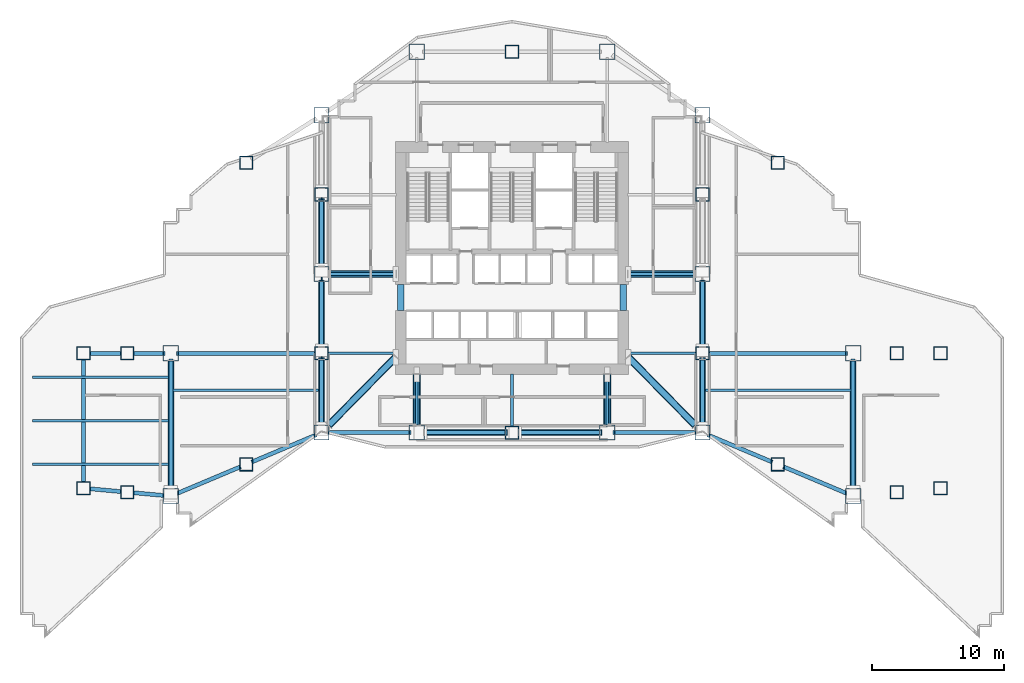
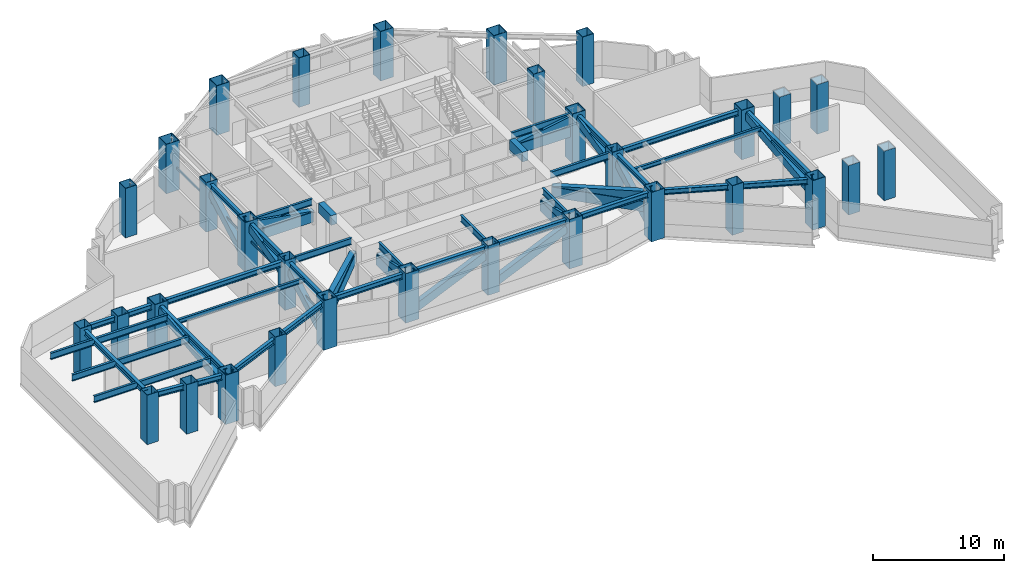
# One storey, part 1 of 23: 42 beams, 32 columns, 16 members.
"""IFC4 building model written with IfcOpenShell, lengths in metres."""

from ifc_helpers import new_model, si_unit, direction, frame, origin, origin_2d, place, context, subcontext, project, spatial, rectangle, hollow_rectangle, i_section, extrude, material, material_profile, profile_set, type_object, element, save


model = new_model("IFC4")

# Units and contexts
model_context = context("Model", 3, precision=1e-05, world=origin(), true_north=direction((0.0, 1.0)))
body_context = subcontext(model_context, "Body", "Model", "MODEL_VIEW")
ifc_project = project(units=[si_unit("LENGTHUNIT", "METRE"), si_unit("AREAUNIT", "SQUARE_METRE"), si_unit("VOLUMEUNIT", "CUBIC_METRE"), si_unit("PLANEANGLEUNIT", "RADIAN"), si_unit("MASSUNIT", "GRAM", prefix="KILO")], contexts=[model_context])

# Site, building, storey
site_placement = place(None, origin())
site = spatial("IfcSite", under=ifc_project, at=site_placement, CompositionType="ELEMENT")
building_placement = place(site_placement, origin())
building = spatial("IfcBuilding", under=site, at=building_placement, Name="Haolan Belvedere Tower", CompositionType="ELEMENT")
storey_placement = place(building_placement, frame((0.0, 0.0, 89.39990234375)))
storey = spatial("IfcBuildingStorey", under=building, at=storey_placement, Name="L22", CompositionType="ELEMENT", Elevation=89.39990234375)

# Columns
ifc_material_1 = material(Name="Steel Q420GJC", Category="steel")
ifc_material_profile_1 = material_profile(ifc_material_1, hollow_rectangle(XDim=1.0, YDim=1.0, WallThickness=0.0380859375, at=origin_2d()), Name="Steel Q420GJC")
ifc_profile_set_1 = profile_set([ifc_material_profile_1], Name="Steel Q420GJC")
column_type_1 = type_object("IfcColumnType", Name="COL-BOX1000x1000x38", PredefinedType="COLUMN", material=ifc_profile_set_1)
for number, where, z_axis, x_axis, name in (
    (1, (6.0, 17.39990234375, 0.0), (0.0, 0.0, 1.0), (1.0, 0.0, 0.0), "L22 column MC-T1-SW (BOX1000x1000x38)"),
    (2, (6.0, 27.60009765625, 0.0), (0.0, 0.0, 1.0), (1.0, 0.0, 0.0), "L22 column MC-T1-NW (BOX1000x1000x38)"),
    (3, (70.800048828125, 17.39990234375, 0.0), (0.0, 0.0, 1.0), (1.0, 0.0, 0.0), "L22 column MC-T5-SE (BOX1000x1000x38)"),
    (4, (70.800048828125, 27.60009765625, 0.0), (0.0, 0.0, 1.0), (1.0, 0.0, 0.0), "L22 column MC-T5-NE (BOX1000x1000x38)"),
    (5, (24.0, 27.60009765625, 0.0), (0.0, 0.0, 1.0), (1.0, 0.0, 0.0), "L22 column TC-T3-W1 (BOX1000x1000x38)"),
    (6, (24.0, 39.60009765625, 0.0), (0.0, 0.0, 1.0), (1.0, 0.0, 0.0), "L22 column TC-T3-W2 (BOX1000x1000x38)"),
    (7, (52.800048828125, 27.60009765625, 0.0), (0.0, 0.0, 1.0), (1.0, 0.0, 0.0), "L22 column TC-T3-E1 (BOX1000x1000x38)"),
    (8, (52.800048828125, 39.60009765625, 0.0), (0.0, 0.0, 1.0), (1.0, 0.0, 0.0), "L22 column TC-T3-E2 (BOX1000x1000x38)"),
    (9, (38.39990234375, 21.60009765625, 0.0), (0.0, 0.0, 1.0), (1.0, 0.0, 0.0), "L22 column TC-T3-SM (BOX1000x1000x38)"),
    (10, (38.39990234375, 50.39990234375, 0.0), (0.0, 0.0, 1.0), (1.0, 0.0, 0.0), "L22 column TC-T3-NM (BOX1000x1000x38)"),
    (11, (18.300048828125, 19.199951171875, 0.0), (0.0, 0.0, 1.0), (1.0, 0.0, 0.0), "L22 column TC-T2-S1 (BOX1000x1000x38)"),
    (12, (18.300048828125, 42.0, 0.0), (0.0, 0.0, 1.0), (1.0, 0.0, 0.0), "L22 column TC-T2-N1 (BOX1000x1000x38)"),
    (13, (58.5, 19.199951171875, 0.0), (0.0, 0.0, 1.0), (1.0, 0.0, 0.0), "L22 column TC-T4-S1 (BOX1000x1000x38)"),
    (14, (58.5, 42.0, 0.0), (0.0, 0.0, 1.0), (1.0, 0.0, 0.0), "L22 column TC-T4-N1 (BOX1000x1000x38)"),
    (15, (9.300048828125, 17.10009765625, 0.0), (0.0, 0.0, 1.0), (1.0, 0.0, 0.0), "L22 column TC-T1-M1 (BOX1000x1000x38)"),
    (16, (9.300048828125, 27.60009765625, 0.0), (0.0, 0.0, 1.0), (1.0, 0.0, 0.0), "L22 column TC-T1-M2 (BOX1000x1000x38)"),
    (17, (67.5, 17.10009765625, 0.0), (0.0, 0.0, 1.0), (1.0, 0.0, 0.0), "L22 column TC-T5-M1 (BOX1000x1000x38)"),
    (18, (67.5, 27.60009765625, 0.0), (0.0, 0.0, 1.0), (1.0, 0.0, 0.0), "L22 column TC-T5-M2 (BOX1000x1000x38)"),
):
    element("IfcColumn", number, at=place(storey_placement, frame(where, z_axis=z_axis, x_axis=x_axis)), inside=storey, type_object=column_type_1, Name=name, PredefinedType="COLUMN", context=body_context, shape_type="SweptSolid", body=[
        extrude(hollow_rectangle(XDim=1.0, YDim=1.0, WallThickness=0.0380859375, at=origin_2d()), origin(), (0.0, 0.0, 1.0), 4.60009765625),
    ])
ifc_material_2 = material(Name="Steel Q355B", Category="steel")
ifc_material_profile_2 = material_profile(ifc_material_2, hollow_rectangle(XDim=1.14990234375, YDim=1.14990234375, WallThickness=0.0419921875, at=origin_2d()), Name="Steel Q355B")
ifc_profile_set_2 = profile_set([ifc_material_profile_2], Name="Steel Q355B")
column_type_2 = type_object("IfcColumnType", Name="COL-BOX1150x1150x42", PredefinedType="COLUMN", material=ifc_profile_set_2)
for number, where, z_axis, x_axis, name in (
    (19, (24.0, 21.60009765625, 0.0), (0.0, 0.0, 1.0), (1.0, 0.0, 0.0), "L22 column MC-T3-SW (BOX1150x1150x42)"),
    (20, (24.0, 33.60009765625, 0.0), (0.0, 0.0, 1.0), (1.0, 0.0, 0.0), "L22 column MC-T3-MW (BOX1150x1150x42)"),
    (21, (24.0, 45.60009765625, 0.0), (0.0, 0.0, 1.0), (1.0, 0.0, 0.0), "L22 column MC-T3-NW (BOX1150x1150x42)"),
    (22, (52.800048828125, 21.60009765625, 0.0), (0.0, 0.0, 1.0), (1.0, 0.0, 0.0), "L22 column MC-T3-SE (BOX1150x1150x42)"),
    (23, (52.800048828125, 33.60009765625, 0.0), (0.0, 0.0, 1.0), (1.0, 0.0, 0.0), "L22 column MC-T3-ME (BOX1150x1150x42)"),
    (24, (52.800048828125, 45.60009765625, 0.0), (0.0, 0.0, 1.0), (1.0, 0.0, 0.0), "L22 column MC-T3-NE (BOX1150x1150x42)"),
    (25, (31.199951171875, 21.60009765625, 0.0), (0.0, 0.0, 1.0), (1.0, 0.0, 0.0), "L22 column MC-T3-S1 (BOX1150x1150x42)"),
    (26, (45.60009765625, 21.60009765625, 0.0), (0.0, 0.0, 1.0), (1.0, 0.0, 0.0), "L22 column MC-T3-S2 (BOX1150x1150x42)"),
    (27, (31.199951171875, 50.39990234375, 0.0), (0.0, 0.0, 1.0), (1.0, 0.0, 0.0), "L22 column MC-T3-N1 (BOX1150x1150x42)"),
    (28, (45.60009765625, 50.39990234375, 0.0), (0.0, 0.0, 1.0), (1.0, 0.0, 0.0), "L22 column MC-T3-N2 (BOX1150x1150x42)"),
    (29, (12.60009765625, 16.800048828125, 0.0), (0.0, 0.0, 1.0), (1.0, 0.0, 0.0), "L22 column MC-T2-SW (BOX1150x1150x42)"),
    (30, (12.60009765625, 27.60009765625, 0.0), (0.0, 0.0, 1.0), (1.0, 0.0, 0.0), "L22 column MC-T2-MW (BOX1150x1150x42)"),
    (31, (64.199951171875, 16.800048828125, 0.0), (0.0, 0.0, 1.0), (1.0, 0.0, 0.0), "L22 column MC-T4-SE (BOX1150x1150x42)"),
    (32, (64.199951171875, 27.60009765625, 0.0), (0.0, 0.0, 1.0), (1.0, 0.0, 0.0), "L22 column MC-T4-ME (BOX1150x1150x42)"),
):
    element("IfcColumn", number, at=place(storey_placement, frame(where, z_axis=z_axis, x_axis=x_axis)), inside=storey, type_object=column_type_2, Name=name, PredefinedType="COLUMN", context=body_context, shape_type="SweptSolid", body=[
        extrude(hollow_rectangle(XDim=1.14990234375, YDim=1.14990234375, WallThickness=0.0419921875, at=origin_2d()), origin(), (0.0, 0.0, 1.0), 4.60009765625),
    ])

# Beams
ifc_material_profile_3 = material_profile(ifc_material_1, hollow_rectangle(XDim=0.550048828125, YDim=0.949951171875, WallThickness=0.033935546875, at=origin_2d()), Name="Steel Q420GJC")
ifc_profile_set_3 = profile_set([ifc_material_profile_3], Name="Steel Q420GJC")
beam_type_1 = type_object("IfcBeamType", Name="BM-BOX950x550x34", PredefinedType="BEAM", material=ifc_profile_set_3)
beam_1_placement = place(storey_placement, frame((29.6298828125, 33.60009765625, 2.780029296875), z_axis=(-1.0, 0.0, 0.0), x_axis=(0.0, -1.0, 0.0)))
element("IfcBeam", 33, at=beam_1_placement, inside=storey, type_object=beam_type_1, Name="L22 core outrigger lower portal chord OR-W1", PredefinedType="BEAM", context=body_context, shape_type="SweptSolid", body=[
    extrude(hollow_rectangle(XDim=0.550048828125, YDim=0.949951171875, WallThickness=0.033935546875, at=origin_2d()), origin(), (0.0, 0.0, 1.0), 5.0849609375),
])
beam_2_placement = place(storey_placement, frame((29.62109375, 27.3212890625, 2.780029296875), z_axis=(-0.700827774189, -0.713330520113, 0.0), x_axis=(0.713330520113, -0.700827774189, 0.0)))
element("IfcBeam", 34, at=beam_2_placement, inside=storey, type_object=beam_type_1, Name="L22 core outrigger lower portal chord OR-W2", PredefinedType="BEAM", context=body_context, shape_type="SweptSolid", body=[
    extrude(hollow_rectangle(XDim=0.550048828125, YDim=0.949951171875, WallThickness=0.033935546875, at=origin_2d()), origin(), (0.0, 0.0, 1.0), 7.244384765625),
])
beam_3_placement = place(storey_placement, frame((47.169921875, 33.60009765625, 2.780029296875), z_axis=(1.0, 0.0, 0.0), x_axis=(0.0, 1.0, 0.0)))
element("IfcBeam", 35, at=beam_3_placement, inside=storey, type_object=beam_type_1, Name="L22 core outrigger lower portal chord OR-E1", PredefinedType="BEAM", context=body_context, shape_type="SweptSolid", body=[
    extrude(hollow_rectangle(XDim=0.550048828125, YDim=0.949951171875, WallThickness=0.033935546875, at=origin_2d()), origin(), (0.0, 0.0, 1.0), 5.0849609375),
])
beam_4_placement = place(storey_placement, frame((47.178955078125, 27.3212890625, 2.780029296875), z_axis=(0.700827774189, -0.713330520113, 0.0), x_axis=(0.713330520113, 0.700827774189, 0.0)))
element("IfcBeam", 36, at=beam_4_placement, inside=storey, type_object=beam_type_1, Name="L22 core outrigger lower portal chord OR-E2", PredefinedType="BEAM", context=body_context, shape_type="SweptSolid", body=[
    extrude(hollow_rectangle(XDim=0.550048828125, YDim=0.949951171875, WallThickness=0.033935546875, at=origin_2d()), origin(), (0.0, 0.0, 1.0), 7.244384765625),
])
for number, where, z_axis, x_axis, name in (
    (37, (31.199951171875, 26.030029296875, 2.780029296875), (0.0, -1.0, 0.0), (1.0, 0.0, 0.0), "L22 core outrigger lower portal chord OR-S1"),
    (38, (45.60009765625, 26.030029296875, 2.780029296875), (0.0, -1.0, 0.0), (1.0, 0.0, 0.0), "L22 core outrigger lower portal chord OR-S2"),
):
    element("IfcBeam", number, at=place(storey_placement, frame(where, z_axis=z_axis, x_axis=x_axis)), inside=storey, type_object=beam_type_1, Name=name, PredefinedType="BEAM", context=body_context, shape_type="SweptSolid", body=[
        extrude(hollow_rectangle(XDim=0.550048828125, YDim=0.949951171875, WallThickness=0.033935546875, at=origin_2d()), origin(), (0.0, 0.0, 1.0), 3.885009765625),
    ])
ifc_material_profile_4 = material_profile(ifc_material_2, i_section(OverallWidth=0.300048828125, OverallDepth=0.488037109375, WebThickness=0.010986328125, FlangeThickness=0.01806640625, FilletRadius=0.02587890625, at=origin_2d()), Name="Steel Q355B")
ifc_profile_set_4 = profile_set([ifc_material_profile_4], Name="Steel Q355B")
beam_type_2 = type_object("IfcBeamType", Name="BM-HM488x300x11x18", PredefinedType="SPANDREL", material=ifc_profile_set_4)
for number, where, z_axis, x_axis, name in (
    (39, (24.0, 22.050048828125, 4.106201171875), (0.0, 1.0, 0.0), (-1.0, 0.0, 0.0), "L22 spandrel girder MC-T3-SW-TC-T3-W1"),
    (40, (24.0, 28.050048828125, 4.106201171875), (0.0, 1.0, 0.0), (-1.0, 0.0, 0.0), "L22 spandrel girder TC-T3-W1-MC-T3-MW"),
    (41, (24.0, 34.050048828125, 4.106201171875), (0.0, 1.0, 0.0), (-1.0, 0.0, 0.0), "L22 spandrel girder MC-T3-MW-TC-T3-W2"),
    (42, (52.800048828125, 22.050048828125, 4.106201171875), (0.0, 1.0, 0.0), (-1.0, 0.0, 0.0), "L22 spandrel girder MC-T3-SE-TC-T3-E1"),
    (43, (52.800048828125, 28.050048828125, 4.106201171875), (0.0, 1.0, 0.0), (-1.0, 0.0, 0.0), "L22 spandrel girder TC-T3-E1-MC-T3-ME"),
):
    element("IfcBeam", number, at=place(storey_placement, frame(where, z_axis=z_axis, x_axis=x_axis)), inside=storey, type_object=beam_type_2, Name=name, PredefinedType="SPANDREL", context=body_context, shape_type="SweptSolid", body=[
        extrude(i_section(OverallWidth=0.300048828125, OverallDepth=0.488037109375, WebThickness=0.010986328125, FlangeThickness=0.01806640625, FilletRadius=0.02587890625, at=origin_2d()), origin(), (0.0, 0.0, 1.0), 5.099853515625),
    ])
for number, where, z_axis, x_axis, name in (
    (44, (24.449951171875, 21.60009765625, 4.106201171875), (1.0, 0.0, 0.0), (0.0, 1.0, 0.0), "L22 spandrel girder MC-T3-SW-MC-T3-S1"),
    (45, (31.64990234375, 21.60009765625, 4.106201171875), (1.0, 0.0, 0.0), (0.0, 1.0, 0.0), "L22 spandrel girder MC-T3-S1-TC-T3-SM"),
):
    element("IfcBeam", number, at=place(storey_placement, frame(where, z_axis=z_axis, x_axis=x_axis)), inside=storey, type_object=beam_type_2, Name=name, PredefinedType="SPANDREL", context=body_context, shape_type="SweptSolid", body=[
        extrude(i_section(OverallWidth=0.300048828125, OverallDepth=0.488037109375, WebThickness=0.010986328125, FlangeThickness=0.01806640625, FilletRadius=0.02587890625, at=origin_2d()), origin(), (0.0, 0.0, 1.0), 6.300048828125),
    ])
beam_5_placement = place(storey_placement, frame((38.85009765625, 21.60009765625, 4.106201171875), z_axis=(1.0, 0.0, 0.0), x_axis=(0.0, 1.0, 0.0)))
element("IfcBeam", 46, at=beam_5_placement, inside=storey, type_object=beam_type_2, Name="L22 spandrel girder TC-T3-SM-MC-T3-S2", PredefinedType="SPANDREL", context=body_context, shape_type="SweptSolid", body=[
    extrude(i_section(OverallWidth=0.300048828125, OverallDepth=0.488037109375, WebThickness=0.010986328125, FlangeThickness=0.01806640625, FilletRadius=0.02587890625, at=origin_2d()), origin(), (0.0, 0.0, 1.0), 6.2998046875),
])
beam_6_placement = place(storey_placement, frame((46.050048828125, 21.60009765625, 4.106201171875), z_axis=(1.0, 0.0, 0.0), x_axis=(0.0, 1.0, 0.0)))
element("IfcBeam", 47, at=beam_6_placement, inside=storey, type_object=beam_type_2, Name="L22 spandrel girder MC-T3-S2-MC-T3-SE", PredefinedType="SPANDREL", context=body_context, shape_type="SweptSolid", body=[
    extrude(i_section(OverallWidth=0.300048828125, OverallDepth=0.488037109375, WebThickness=0.010986328125, FlangeThickness=0.01806640625, FilletRadius=0.02587890625, at=origin_2d()), origin(), (0.0, 0.0, 1.0), 6.300048828125),
])
beam_7_placement = place(storey_placement, frame((12.60009765625, 17.25, 4.106201171875), z_axis=(0.0, 1.0, 0.0), x_axis=(-1.0, 0.0, 0.0)))
element("IfcBeam", 48, at=beam_7_placement, inside=storey, type_object=beam_type_2, Name="L22 spandrel girder MC-T2-SW-MC-T2-MW", PredefinedType="SPANDREL", context=body_context, shape_type="SweptSolid", body=[
    extrude(i_section(OverallWidth=0.300048828125, OverallDepth=0.488037109375, WebThickness=0.010986328125, FlangeThickness=0.01806640625, FilletRadius=0.02587890625, at=origin_2d()), origin(), (0.0, 0.0, 1.0), 9.89990234375),
])
beam_8_placement = place(storey_placement, frame((13.0146484375, 16.974609375, 4.106201171875), z_axis=(0.921635375138, 0.388057000058, 0.0), x_axis=(-0.388057000058, 0.921635375138, 0.0)))
element("IfcBeam", 49, at=beam_8_placement, inside=storey, type_object=beam_type_2, Name="L22 spandrel girder MC-T2-SW-TC-T2-S1", PredefinedType="SPANDREL", context=body_context, shape_type="SweptSolid", body=[
    extrude(i_section(OverallWidth=0.300048828125, OverallDepth=0.488037109375, WebThickness=0.010986328125, FlangeThickness=0.01806640625, FilletRadius=0.02587890625, at=origin_2d()), origin(), (0.0, 0.0, 1.0), 5.28466796875),
])
beam_9_placement = place(storey_placement, frame((18.71484375, 19.37451171875, 4.106201171875), z_axis=(0.92162841793, 0.388073523014, 0.0), x_axis=(-0.388073523014, 0.92162841793, 0.0)))
element("IfcBeam", 50, at=beam_9_placement, inside=storey, type_object=beam_type_2, Name="L22 spandrel girder TC-T2-S1-MC-T3-SW", PredefinedType="SPANDREL", context=body_context, shape_type="SweptSolid", body=[
    extrude(i_section(OverallWidth=0.300048828125, OverallDepth=0.488037109375, WebThickness=0.010986328125, FlangeThickness=0.01806640625, FilletRadius=0.02587890625, at=origin_2d()), origin(), (0.0, 0.0, 1.0), 5.284423828125),
])
beam_10_placement = place(storey_placement, frame((13.050048828125, 27.60009765625, 4.106201171875), z_axis=(1.0, 0.0, 0.0), x_axis=(0.0, 1.0, 0.0)))
element("IfcBeam", 51, at=beam_10_placement, inside=storey, type_object=beam_type_2, Name="L22 spandrel girder MC-T2-MW-TC-T3-W1", PredefinedType="SPANDREL", context=body_context, shape_type="SweptSolid", body=[
    extrude(i_section(OverallWidth=0.300048828125, OverallDepth=0.488037109375, WebThickness=0.010986328125, FlangeThickness=0.01806640625, FilletRadius=0.02587890625, at=origin_2d()), origin(), (0.0, 0.0, 1.0), 10.5),
])
beam_11_placement = place(storey_placement, frame((64.199951171875, 17.25, 4.106201171875), z_axis=(0.0, 1.0, 0.0), x_axis=(-1.0, 0.0, 0.0)))
element("IfcBeam", 52, at=beam_11_placement, inside=storey, type_object=beam_type_2, Name="L22 spandrel girder MC-T4-SE-MC-T4-ME", PredefinedType="SPANDREL", context=body_context, shape_type="SweptSolid", body=[
    extrude(i_section(OverallWidth=0.300048828125, OverallDepth=0.488037109375, WebThickness=0.010986328125, FlangeThickness=0.01806640625, FilletRadius=0.02587890625, at=origin_2d()), origin(), (0.0, 0.0, 1.0), 9.89990234375),
])
for number, where, z_axis, x_axis, name in (
    (53, (53.21484375, 21.42529296875, 4.106201171875), (0.92162841793, -0.388073523014, 0.0), (0.388073523014, 0.92162841793, 0.0), "L22 spandrel girder MC-T3-SE-TC-T4-S1"),
    (54, (58.914794921875, 19.025390625, 4.106201171875), (0.92162841793, -0.388073523014, 0.0), (0.388073523014, 0.92162841793, 0.0), "L22 spandrel girder TC-T4-S1-MC-T4-SE"),
):
    element("IfcBeam", number, at=place(storey_placement, frame(where, z_axis=z_axis, x_axis=x_axis)), inside=storey, type_object=beam_type_2, Name=name, PredefinedType="SPANDREL", context=body_context, shape_type="SweptSolid", body=[
        extrude(i_section(OverallWidth=0.300048828125, OverallDepth=0.488037109375, WebThickness=0.010986328125, FlangeThickness=0.01806640625, FilletRadius=0.02587890625, at=origin_2d()), origin(), (0.0, 0.0, 1.0), 5.284423828125),
    ])
beam_12_placement = place(storey_placement, frame((53.25, 27.60009765625, 4.106201171875), z_axis=(1.0, 0.0, 0.0), x_axis=(0.0, 1.0, 0.0)))
element("IfcBeam", 55, at=beam_12_placement, inside=storey, type_object=beam_type_2, Name="L22 spandrel girder TC-T3-E1-MC-T4-ME", PredefinedType="SPANDREL", context=body_context, shape_type="SweptSolid", body=[
    extrude(i_section(OverallWidth=0.300048828125, OverallDepth=0.488037109375, WebThickness=0.010986328125, FlangeThickness=0.01806640625, FilletRadius=0.02587890625, at=origin_2d()), origin(), (0.0, 0.0, 1.0), 10.5),
])
beam_13_placement = place(storey_placement, frame((6.0, 17.85009765625, 4.106201171875), z_axis=(0.0, 1.0, 0.0), x_axis=(-1.0, 0.0, 0.0)))
element("IfcBeam", 56, at=beam_13_placement, inside=storey, type_object=beam_type_2, Name="L22 spandrel girder MC-T1-SW-MC-T1-NW", PredefinedType="SPANDREL", context=body_context, shape_type="SweptSolid", body=[
    extrude(i_section(OverallWidth=0.300048828125, OverallDepth=0.488037109375, WebThickness=0.010986328125, FlangeThickness=0.01806640625, FilletRadius=0.02587890625, at=origin_2d()), origin(), (0.0, 0.0, 1.0), 9.2998046875),
])
beam_14_placement = place(storey_placement, frame((6.4482421875, 17.359375, 4.106201171875), z_axis=(0.995884080761, -0.090636072764, 0.0), x_axis=(0.090636072764, 0.995884080761, 0.0)))
element("IfcBeam", 57, at=beam_14_placement, inside=storey, type_object=beam_type_2, Name="L22 spandrel girder MC-T1-SW-TC-T1-M1", PredefinedType="SPANDREL", context=body_context, shape_type="SweptSolid", body=[
    extrude(i_section(OverallWidth=0.300048828125, OverallDepth=0.488037109375, WebThickness=0.010986328125, FlangeThickness=0.01806640625, FilletRadius=0.02587890625, at=origin_2d()), origin(), (0.0, 0.0, 1.0), 2.41357421875),
])
beam_15_placement = place(storey_placement, frame((9.748046875, 17.059326171875, 4.106201171875), z_axis=(0.9958940355, -0.090526626221, 0.0), x_axis=(0.090526626221, 0.9958940355, 0.0)))
element("IfcBeam", 58, at=beam_15_placement, inside=storey, type_object=beam_type_2, Name="L22 spandrel girder TC-T1-M1-MC-T2-SW", PredefinedType="SPANDREL", context=body_context, shape_type="SweptSolid", body=[
    extrude(i_section(OverallWidth=0.300048828125, OverallDepth=0.488037109375, WebThickness=0.010986328125, FlangeThickness=0.01806640625, FilletRadius=0.02587890625, at=origin_2d()), origin(), (0.0, 0.0, 1.0), 2.413818359375),
])
beam_16_placement = place(storey_placement, frame((6.449951171875, 27.60009765625, 4.106201171875), z_axis=(1.0, 0.0, 0.0), x_axis=(0.0, 1.0, 0.0)))
element("IfcBeam", 59, at=beam_16_placement, inside=storey, type_object=beam_type_2, Name="L22 spandrel girder MC-T1-NW-TC-T1-M2", PredefinedType="SPANDREL", context=body_context, shape_type="SweptSolid", body=[
    extrude(i_section(OverallWidth=0.300048828125, OverallDepth=0.488037109375, WebThickness=0.010986328125, FlangeThickness=0.01806640625, FilletRadius=0.02587890625, at=origin_2d()), origin(), (0.0, 0.0, 1.0), 2.400146484375),
])
beam_17_placement = place(storey_placement, frame((9.75, 27.60009765625, 4.106201171875), z_axis=(1.0, 0.0, 0.0), x_axis=(0.0, 1.0, 0.0)))
element("IfcBeam", 60, at=beam_17_placement, inside=storey, type_object=beam_type_2, Name="L22 spandrel girder TC-T1-M2-MC-T2-MW", PredefinedType="SPANDREL", context=body_context, shape_type="SweptSolid", body=[
    extrude(i_section(OverallWidth=0.300048828125, OverallDepth=0.488037109375, WebThickness=0.010986328125, FlangeThickness=0.01806640625, FilletRadius=0.02587890625, at=origin_2d()), origin(), (0.0, 0.0, 1.0), 2.39990234375),
])
ifc_material_profile_5 = material_profile(ifc_material_2, i_section(OverallWidth=0.199951171875, OverallDepth=0.39990234375, WebThickness=0.008056640625, FlangeThickness=0.012939453125, FilletRadius=0.01611328125, at=origin_2d()), Name="Steel Q355B")
ifc_profile_set_5 = profile_set([ifc_material_profile_5], Name="Steel Q355B")
beam_type_3 = type_object("IfcBeamType", Name="BM-HN400x200x8x13", PredefinedType="JOIST", material=ifc_profile_set_5)
for number, where, z_axis, x_axis, name in (
    (61, (12.75, 24.800048828125, 4.150146484375), (1.0, 0.0, 0.0), (0.0, 1.0, 0.0), "L22 west wing floor joist 1"),
    (62, (52.949951171875, 24.800048828125, 4.150146484375), (1.0, 0.0, 0.0), (0.0, 1.0, 0.0), "L22 east wing floor joist 1"),
):
    element("IfcBeam", number, at=place(storey_placement, frame(where, z_axis=z_axis, x_axis=x_axis)), inside=storey, type_object=beam_type_3, Name=name, PredefinedType="JOIST", context=body_context, shape_type="SweptSolid", body=[
        extrude(i_section(OverallWidth=0.199951171875, OverallDepth=0.39990234375, WebThickness=0.008056640625, FlangeThickness=0.012939453125, FilletRadius=0.01611328125, at=origin_2d()), origin(), (0.0, 0.0, 1.0), 11.10009765625),
    ])
ifc_material_profile_6 = material_profile(ifc_material_2, i_section(OverallWidth=0.199951171875, OverallDepth=0.60009765625, WebThickness=0.010986328125, FlangeThickness=0.01708984375, FilletRadius=0.02197265625, at=origin_2d()), Name="Steel Q355B")
ifc_profile_set_6 = profile_set([ifc_material_profile_6], Name="Steel Q355B")
beam_type_4 = type_object("IfcBeamType", Name="BM-HN600x200x11x17", PredefinedType="BEAM", material=ifc_profile_set_6)
for number, where, z_axis, x_axis, name in (
    (63, (24.449951171875, 33.60009765625, 4.050048828125), (1.0, 0.0, 0.0), (0.0, 1.0, 0.0), "L22 core tie beam from MC-T3-MW"),
    (64, (24.449951171875, 27.60009765625, 4.050048828125), (1.0, 0.0, 0.0), (0.0, 1.0, 0.0), "L22 core tie beam from TC-T3-W1"),
):
    element("IfcBeam", number, at=place(storey_placement, frame(where, z_axis=z_axis, x_axis=x_axis)), inside=storey, type_object=beam_type_4, Name=name, PredefinedType="BEAM", context=body_context, shape_type="SweptSolid", body=[
        extrude(i_section(OverallWidth=0.199951171875, OverallDepth=0.60009765625, WebThickness=0.010986328125, FlangeThickness=0.01708984375, FilletRadius=0.02197265625, at=origin_2d()), origin(), (0.0, 0.0, 1.0), 5.199951171875),
    ])
for number, where, z_axis, x_axis, name in (
    (65, (52.35009765625, 33.60009765625, 4.050048828125), (-1.0, 0.0, 0.0), (0.0, -1.0, 0.0), "L22 core tie beam from MC-T3-ME"),
    (66, (52.35009765625, 27.60009765625, 4.050048828125), (-1.0, 0.0, 0.0), (0.0, -1.0, 0.0), "L22 core tie beam from TC-T3-E1"),
):
    element("IfcBeam", number, at=place(storey_placement, frame(where, z_axis=z_axis, x_axis=x_axis)), inside=storey, type_object=beam_type_4, Name=name, PredefinedType="BEAM", context=body_context, shape_type="SweptSolid", body=[
        extrude(i_section(OverallWidth=0.199951171875, OverallDepth=0.60009765625, WebThickness=0.010986328125, FlangeThickness=0.01708984375, FilletRadius=0.02197265625, at=origin_2d()), origin(), (0.0, 0.0, 1.0), 5.2001953125),
    ])
for number, where, z_axis, x_axis, name in (
    (67, (31.199951171875, 22.050048828125, 4.050048828125), (0.0, 1.0, 0.0), (-1.0, 0.0, 0.0), "L22 core tie beam from MC-T3-S1"),
    (68, (38.39990234375, 22.050048828125, 4.050048828125), (0.0, 1.0, 0.0), (-1.0, 0.0, 0.0), "L22 core tie beam from TC-T3-SM"),
    (69, (45.60009765625, 22.050048828125, 4.050048828125), (0.0, 1.0, 0.0), (-1.0, 0.0, 0.0), "L22 core tie beam from MC-T3-S2"),
):
    element("IfcBeam", number, at=place(storey_placement, frame(where, z_axis=z_axis, x_axis=x_axis)), inside=storey, type_object=beam_type_4, Name=name, PredefinedType="BEAM", context=body_context, shape_type="SweptSolid", body=[
        extrude(i_section(OverallWidth=0.199951171875, OverallDepth=0.60009765625, WebThickness=0.010986328125, FlangeThickness=0.01708984375, FilletRadius=0.02197265625, at=origin_2d()), origin(), (0.0, 0.0, 1.0), 4.0),
    ])
for number, where, z_axis, x_axis, name in (
    (70, (12.419921875, 19.199951171875, 4.050048828125), (-1.0, 0.0, 0.0), (0.0, -1.0, 0.0), "L22 terrace cantilever support girder 1"),
    (71, (12.419921875, 22.5, 4.050048828125), (-1.0, 0.0, 0.0), (0.0, -1.0, 0.0), "L22 terrace cantilever support girder 2"),
    (72, (12.419921875, 25.800048828125, 4.050048828125), (-1.0, 0.0, 0.0), (0.0, -1.0, 0.0), "L22 terrace cantilever support girder 3"),
):
    element("IfcBeam", number, at=place(storey_placement, frame(where, z_axis=z_axis, x_axis=x_axis)), inside=storey, type_object=beam_type_4, Name=name, PredefinedType="BEAM", context=body_context, shape_type="SweptSolid", body=[
        extrude(i_section(OverallWidth=0.199951171875, OverallDepth=0.60009765625, WebThickness=0.010986328125, FlangeThickness=0.01708984375, FilletRadius=0.02197265625, at=origin_2d()), origin(), (0.0, 0.0, 1.0), 10.27001953125),
    ])
ifc_material_3 = material(Name="Concrete C60/75", Category="concrete")
ifc_material_profile_7 = material_profile(ifc_material_3, rectangle(XDim=0.5, YDim=0.89990234375, at=origin_2d()), Name="Concrete C60/75")
ifc_profile_set_7 = profile_set([ifc_material_profile_7], Name="Concrete C60/75")
beam_type_5 = type_object("IfcBeamType", Name="BM-RC500x900", PredefinedType="LINTEL", material=ifc_profile_set_7)
for number, where, z_axis, x_axis, name in (
    (73, (30.0, 30.85009765625, 3.900146484375), (0.0, 1.0, 0.0), (-1.0, 0.0, 0.0), "L22 west core coupling beam CB-01"),
    (74, (46.800048828125, 30.85009765625, 3.900146484375), (0.0, 1.0, 0.0), (-1.0, 0.0, 0.0), "L22 east core coupling beam CB-01"),
):
    element("IfcBeam", number, at=place(storey_placement, frame(where, z_axis=z_axis, x_axis=x_axis)), inside=storey, type_object=beam_type_5, Name=name, PredefinedType="LINTEL", context=body_context, shape_type="SweptSolid", body=[
        extrude(rectangle(XDim=0.5, YDim=0.89990234375, at=origin_2d()), origin(), (0.0, 0.0, 1.0), 1.949951171875),
    ])

# Members
ifc_material_4 = material(Name="Steel Q390GJC", Category="steel")
ifc_material_profile_8 = material_profile(ifc_material_4, hollow_rectangle(XDim=0.449951171875, YDim=0.75, WallThickness=0.028076171875, at=origin_2d()), Name="Steel Q390GJC")
ifc_profile_set_8 = profile_set([ifc_material_profile_8], Name="Steel Q390GJC")
member_type_1 = type_object("IfcMemberType", Name="MEM-BOX750x450x28", PredefinedType="BRACE", material=ifc_profile_set_8)
member_1_placement = place(storey_placement, frame((29.6298828125, 33.60009765625, 2.920166015625), z_axis=(-0.985681415977, 0.0, 0.168618344782), x_axis=(0.0, -1.0, 0.0)))
element("IfcMember", 75, at=member_1_placement, inside=storey, type_object=member_type_1, Name="L22 core outrigger brace OR-W1", PredefinedType="BRACE", context=body_context, shape_type="SweptSolid", body=[
    extrude(hollow_rectangle(XDim=0.449951171875, YDim=0.75, WallThickness=0.028076171875, at=origin_2d()), origin(), (0.0, 0.0, 1.0), 5.158935546875),
])
member_2_placement = place(storey_placement, frame((29.62109375, 27.3212890625, 2.920166015625), z_axis=(-0.695829609459, -0.708243188277, 0.119217200351), x_axis=(0.713330520113, -0.700827774189, 0.0)))
element("IfcMember", 76, at=member_2_placement, inside=storey, type_object=member_type_1, Name="L22 core outrigger brace OR-W2", PredefinedType="BRACE", context=body_context, shape_type="SweptSolid", body=[
    extrude(hollow_rectangle(XDim=0.449951171875, YDim=0.75, WallThickness=0.028076171875, at=origin_2d()), origin(), (0.0, 0.0, 1.0), 7.296630859375),
])
member_3_placement = place(storey_placement, frame((47.169921875, 33.60009765625, 2.920166015625), z_axis=(0.985681415977, 0.0, 0.168618344782), x_axis=(0.0, 1.0, 0.0)))
element("IfcMember", 77, at=member_3_placement, inside=storey, type_object=member_type_1, Name="L22 core outrigger brace OR-E1", PredefinedType="BRACE", context=body_context, shape_type="SweptSolid", body=[
    extrude(hollow_rectangle(XDim=0.449951171875, YDim=0.75, WallThickness=0.028076171875, at=origin_2d()), origin(), (0.0, 0.0, 1.0), 5.158935546875),
])
member_4_placement = place(storey_placement, frame((47.178955078125, 27.3212890625, 2.920166015625), z_axis=(0.695829609459, -0.708243188277, 0.119217200351), x_axis=(0.713330520113, 0.700827774189, 0.0)))
element("IfcMember", 78, at=member_4_placement, inside=storey, type_object=member_type_1, Name="L22 core outrigger brace OR-E2", PredefinedType="BRACE", context=body_context, shape_type="SweptSolid", body=[
    extrude(hollow_rectangle(XDim=0.449951171875, YDim=0.75, WallThickness=0.028076171875, at=origin_2d()), origin(), (0.0, 0.0, 1.0), 7.296630859375),
])
for number, where, z_axis, x_axis, name in (
    (79, (31.199951171875, 26.030029296875, 2.920166015625), (0.0, -0.975838066651, 0.218495006063), (1.0, 0.0, 0.0), "L22 core outrigger brace OR-S1"),
    (80, (45.60009765625, 26.030029296875, 2.920166015625), (0.0, -0.975838066651, 0.218495006063), (1.0, 0.0, 0.0), "L22 core outrigger brace OR-S2"),
):
    element("IfcMember", number, at=place(storey_placement, frame(where, z_axis=z_axis, x_axis=x_axis)), inside=storey, type_object=member_type_1, Name=name, PredefinedType="BRACE", context=body_context, shape_type="SweptSolid", body=[
        extrude(hollow_rectangle(XDim=0.449951171875, YDim=0.75, WallThickness=0.028076171875, at=origin_2d()), origin(), (0.0, 0.0, 1.0), 3.981201171875),
    ])
member_5_placement = place(storey_placement, frame((24.0, 22.1650390625, 0.800048828125), z_axis=(0.0, 0.87395163684, 0.486012897426), x_axis=(-1.0, 0.0, 0.0)))
element("IfcMember", 81, at=member_5_placement, inside=storey, type_object=member_type_1, Name="L22 belt truss diagonal BT-W1", PredefinedType="BRACE", context=body_context, shape_type="SweptSolid", body=[
    extrude(hollow_rectangle(XDim=0.449951171875, YDim=0.75, WallThickness=0.028076171875, at=origin_2d()), origin(), (0.0, 0.0, 1.0), 5.658203125),
])
member_6_placement = place(storey_placement, frame((24.0, 28.090087890625, 2.820068359375), z_axis=(0.0, 0.975714361012, 0.219046766047), x_axis=(-1.0, 0.0, 0.0)))
element("IfcMember", 82, at=member_6_placement, inside=storey, type_object=member_type_1, Name="L22 belt truss diagonal BT-W2", PredefinedType="BRACE", context=body_context, shape_type="SweptSolid", body=[
    extrude(hollow_rectangle(XDim=0.449951171875, YDim=0.75, WallThickness=0.028076171875, at=origin_2d()), origin(), (0.0, 0.0, 1.0), 5.06787109375),
])
for number, where, z_axis, x_axis, name in (
    (83, (24.0, 34.1650390625, 0.800048828125), (0.0, 0.87395163684, 0.486012897426), (-1.0, 0.0, 0.0), "L22 belt truss diagonal BT-W3"),
    (84, (52.800048828125, 22.1650390625, 0.800048828125), (0.0, 0.87395163684, 0.486012897426), (-1.0, 0.0, 0.0), "L22 belt truss diagonal BT-E1"),
):
    element("IfcMember", number, at=place(storey_placement, frame(where, z_axis=z_axis, x_axis=x_axis)), inside=storey, type_object=member_type_1, Name=name, PredefinedType="BRACE", context=body_context, shape_type="SweptSolid", body=[
        extrude(hollow_rectangle(XDim=0.449951171875, YDim=0.75, WallThickness=0.028076171875, at=origin_2d()), origin(), (0.0, 0.0, 1.0), 5.658203125),
    ])
member_7_placement = place(storey_placement, frame((52.800048828125, 28.090087890625, 2.820068359375), z_axis=(0.0, 0.975714361012, 0.219046766047), x_axis=(-1.0, 0.0, 0.0)))
element("IfcMember", 85, at=member_7_placement, inside=storey, type_object=member_type_1, Name="L22 belt truss diagonal BT-E2", PredefinedType="BRACE", context=body_context, shape_type="SweptSolid", body=[
    extrude(hollow_rectangle(XDim=0.449951171875, YDim=0.75, WallThickness=0.028076171875, at=origin_2d()), origin(), (0.0, 0.0, 1.0), 5.06787109375),
])
for number, where, z_axis, x_axis, name in (
    (86, (31.764892578125, 21.60009765625, 0.800048828125), (0.912767730445, 0.0, 0.408478971622), (0.0, 1.0, 0.0), "L22 belt truss diagonal BT-S1"),
    (87, (38.889892578125, 21.60009765625, 0.800048828125), (0.912767730445, 0.0, 0.408478971622), (0.0, 1.0, 0.0), "L22 belt truss diagonal BT-S2"),
):
    element("IfcMember", number, at=place(storey_placement, frame(where, z_axis=z_axis, x_axis=x_axis)), inside=storey, type_object=member_type_1, Name=name, PredefinedType="BRACE", context=body_context, shape_type="SweptSolid", body=[
        extrude(hollow_rectangle(XDim=0.449951171875, YDim=0.75, WallThickness=0.028076171875, at=origin_2d()), origin(), (0.0, 0.0, 1.0), 6.732177734375),
    ])
for number, where, z_axis, x_axis, name in (
    (88, (12.60009765625, 17.364990234375, 2.820068359375), (0.0, 0.993474900944, 0.114050958761), (-1.0, 0.0, 0.0), "L22 belt truss diagonal BT-T2"),
    (89, (64.199951171875, 17.364990234375, 2.820068359375), (0.0, 0.993474900944, 0.114050958761), (-1.0, 0.0, 0.0), "L22 belt truss diagonal BT-T4"),
):
    element("IfcMember", number, at=place(storey_placement, frame(where, z_axis=z_axis, x_axis=x_axis)), inside=storey, type_object=member_type_1, Name=name, PredefinedType="BRACE", context=body_context, shape_type="SweptSolid", body=[
        extrude(hollow_rectangle(XDim=0.449951171875, YDim=0.75, WallThickness=0.028076171875, at=origin_2d()), origin(), (0.0, 0.0, 1.0), 9.7333984375),
    ])
ifc_material_profile_9 = material_profile(ifc_material_2, hollow_rectangle(XDim=0.080078125, YDim=0.179931640625, WallThickness=0.006103515625, at=origin_2d()), Name="Steel Q355B")
ifc_profile_set_9 = profile_set([ifc_material_profile_9], Name="Steel Q355B")
member_type_2 = type_object("IfcMemberType", Name="MEM-RHS180x80x6", PredefinedType="CHORD", material=ifc_profile_set_9)
member_8_placement = place(storey_placement, frame((24.0, 22.800048828125, 2.60009765625), z_axis=(0.0, 1.0, 0.0), x_axis=(-1.0, 0.0, 0.0)))
element("IfcMember", 90, at=member_8_placement, inside=storey, type_object=member_type_2, Name="L22 refuge louvre structural girt chord GW", PredefinedType="STRUT", context=body_context, shape_type="SweptSolid", body=[
    extrude(hollow_rectangle(XDim=0.080078125, YDim=0.179931640625, WallThickness=0.006103515625, at=origin_2d()), origin(), (0.0, 0.0, 1.0), 21.599853515625),
])

save(model, "model.ifc")
